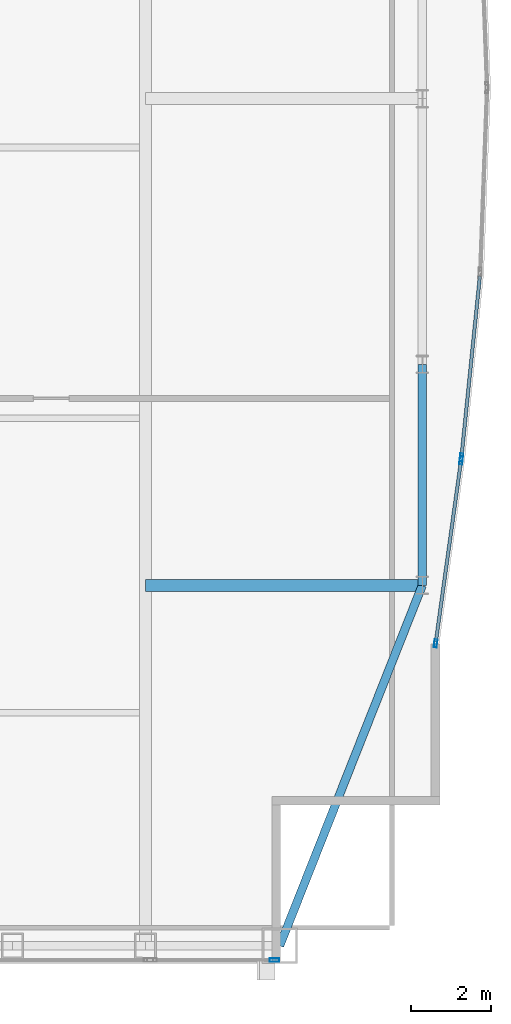
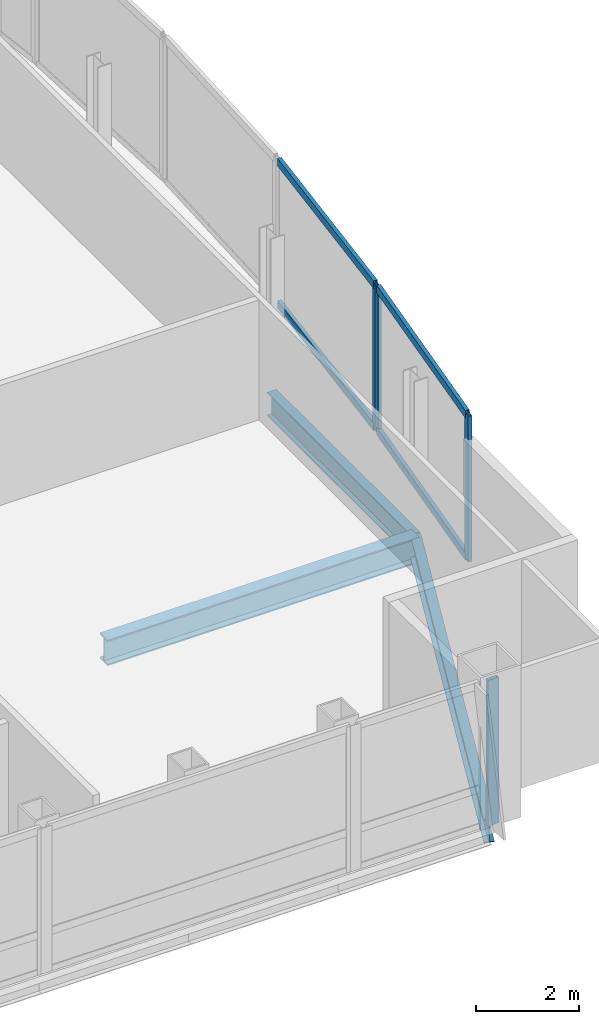
# One storey, part 14 of 26: 8 members, 3 beams, 3 elements without a shape of their own.
"""IFC4 building model written with IfcOpenShell, lengths in metres."""

from ifc_helpers import new_model, si_unit, direction, frame, origin, origin_2d, place, context, subcontext, project, spatial, hollow_rectangle, i_section, extrude, material, material_profile, profile_set, type_object, element, aggregate, save


model = new_model("IFC4")

# Units and contexts
model_context = context("Model", 3, precision=1e-05, world=origin(), true_north=direction((0.0, 1.0)))
body_context = subcontext(model_context, "Body", "Model", "MODEL_VIEW")
ifc_project = project(units=[si_unit("LENGTHUNIT", "METRE"), si_unit("AREAUNIT", "SQUARE_METRE"), si_unit("VOLUMEUNIT", "CUBIC_METRE"), si_unit("PLANEANGLEUNIT", "RADIAN"), si_unit("MASSUNIT", "GRAM", prefix="KILO")], contexts=[model_context])

# Site, building, storey
site_placement = place(None, origin())
site = spatial("IfcSite", under=ifc_project, at=site_placement, CompositionType="ELEMENT")
building_placement = place(site_placement, origin())
building = spatial("IfcBuilding", under=site, at=building_placement, Name="Khoronbel Lancet Exchange", CompositionType="ELEMENT")
storey_placement = place(building_placement, frame((0.0, 0.0, 339.800048828125)))
storey = spatial("IfcBuildingStorey", under=building, at=storey_placement, Name="L88", CompositionType="ELEMENT", Elevation=339.800048828125)

# Beams
ifc_material_1 = material(Name="Steel S355", Category="steel")
ifc_material_profile_1 = material_profile(ifc_material_1, i_section(OverallWidth=0.300048828125, OverallDepth=0.60009765625, WebThickness=0.015380859375, FlangeThickness=0.030029296875, at=origin_2d()), Name="HEB 600")
ifc_profile_set_1 = profile_set([ifc_material_profile_1], Name="Steel S355")
beam_type_1 = type_object("IfcBeamType", Name="BM-BG5", PredefinedType="BEAM", material=ifc_profile_set_1)
beam_1_placement = place(storey_placement, frame((54.675048828125, 19.199951171875, -0.4599609375), z_axis=(1.0, 0.0, 0.0), x_axis=(0.0, 1.0, 0.0)))
element("IfcBeam", 1, at=beam_1_placement, inside=storey, type_object=beam_type_1, Name="Level L88 east lens tie girder LG1E", PredefinedType="BEAM", context=body_context, shape_type="SweptSolid", body=[
    extrude(i_section(OverallWidth=0.300048828125, OverallDepth=0.60009765625, WebThickness=0.015380859375, FlangeThickness=0.030029296875, at=origin_2d()), origin(), (0.0, 0.0, 1.0), 6.954833984375),
])
ifc_material_profile_2 = material_profile(ifc_material_1, i_section(OverallWidth=0.2099609375, OverallDepth=0.550048828125, WebThickness=0.010986328125, FlangeThickness=0.01708984375, at=origin_2d()), Name="IPE 550")
ifc_profile_set_2 = profile_set([ifc_material_profile_2], Name="Steel S355")
beam_type_2 = type_object("IfcBeamType", Name="BM-BSP3", PredefinedType="SPANDREL", material=ifc_profile_set_2)
beam_2_placement = place(storey_placement, frame((58.050048828125, 10.14990234375, -0.43505859375), z_axis=(0.367828403855, 0.929893684954, 0.0), x_axis=(-0.929893684954, 0.367828403855, 0.0)))
element("IfcBeam", 2, at=beam_2_placement, inside=storey, type_object=beam_type_2, Name="Level L88 perimeter spandrel beam SP08", PredefinedType="SPANDREL", context=body_context, shape_type="SweptSolid", body=[
    extrude(i_section(OverallWidth=0.2099609375, OverallDepth=0.550048828125, WebThickness=0.010986328125, FlangeThickness=0.01708984375, at=origin_2d()), origin(), (0.0, 0.0, 1.0), 9.732421875),
])
beam_3_placement = place(storey_placement, frame((61.6298828125, 19.199951171875, -0.43505859375), z_axis=(0.0, 1.0, 0.0), x_axis=(-1.0, 0.0, 0.0)))
element("IfcBeam", 3, at=beam_3_placement, inside=storey, type_object=beam_type_2, Name="Level L88 perimeter spandrel beam SP09", PredefinedType="SPANDREL", context=body_context, shape_type="SweptSolid", body=[
    extrude(i_section(OverallWidth=0.2099609375, OverallDepth=0.550048828125, WebThickness=0.010986328125, FlangeThickness=0.01708984375, at=origin_2d()), origin(), (0.0, 0.0, 1.0), 5.550048828125),
])

# Curtain wall, member
ifc_material_2 = material(Name="Low-E Solar Control Insulating Glass", Category="glass")
curtain_wall_type_1 = type_object("IfcCurtainWallType", Name="CW-3", PredefinedType="NOTDEFINED", material=ifc_material_2)
curtain_wall_1_placement = place(storey_placement, origin())
curtain_wall_1 = element("IfcCurtainWall", 4, at=curtain_wall_1_placement, inside=storey, type_object=curtain_wall_type_1, Name="Unitised curtain wall CW-L88-SEV", PredefinedType="NOTDEFINED")
ifc_material_3 = material(Name="Bronze-Anodised Aluminium 6063-T6", Category="aluminium")
ifc_material_profile_3 = material_profile(ifc_material_3, hollow_rectangle(XDim=0.0849609375, YDim=0.239990234375, WallThickness=0.006103515625, at=origin_2d()), Name="ALU MULLION 85x240")
ifc_profile_set_3 = profile_set([ifc_material_profile_3], Name="Bronze-Anodised Aluminium 6063-T6")
member_type_1 = type_object("IfcMemberType", Name="MEM-CWM1", PredefinedType="MULLION", material=ifc_profile_set_3)
member_1_placement = place(storey_placement, frame((57.91748046875, 9.7900390625, 0.0), z_axis=(0.0, 0.0, 1.0), x_axis=(0.0, 1.0, 0.0)))
member_1 = element("IfcMember", 5, at=member_1_placement, type_object=member_type_1, Name="CW3 mullion 2", PredefinedType="MULLION", context=body_context, shape_type="SweptSolid", body=[
    extrude(hollow_rectangle(XDim=0.0849609375, YDim=0.239990234375, WallThickness=0.006103515625, at=origin_2d()), origin(), (0.0, 0.0, 1.0), 3.43994140625),
])
aggregate(curtain_wall_1, [member_1])

curtain_wall_type_2 = type_object("IfcCurtainWallType", Name="CW-4", PredefinedType="NOTDEFINED", material=ifc_material_2)
curtain_wall_2_placement = place(storey_placement, origin())
curtain_wall_2 = element("IfcCurtainWall", 6, at=curtain_wall_2_placement, inside=storey, type_object=curtain_wall_type_2, Name="Unitised curtain wall CW-L88-E21", PredefinedType="NOTDEFINED")
ifc_material_profile_4 = material_profile(ifc_material_3, hollow_rectangle(XDim=0.074951171875, YDim=0.199951171875, WallThickness=0.0048828125, at=origin_2d()), Name="ALU MULLION 75x200")
ifc_profile_set_4 = profile_set([ifc_material_profile_4], Name="Bronze-Anodised Aluminium 6063-T6")
member_type_2 = type_object("IfcMemberType", Name="MEM-CWM2", PredefinedType="MULLION", material=ifc_profile_set_4)
member_2_placement = place(storey_placement, frame((62.61328125, 22.414794921875, 0.0), z_axis=(0.0, 0.0, 1.0), x_axis=(0.994858128487, -0.101278350024, 0.0)))
member_2 = element("IfcMember", 7, at=member_2_placement, type_object=member_type_2, Name="CW4 mullion 2", PredefinedType="MULLION", context=body_context, shape_type="SweptSolid", body=[
    extrude(hollow_rectangle(XDim=0.074951171875, YDim=0.199951171875, WallThickness=0.0048828125, at=origin_2d()), origin(), (0.0, 0.0, 1.0), 3.43994140625),
])

# Curtain wall, members
curtain_wall_3_placement = place(storey_placement, origin())
curtain_wall_3 = element("IfcCurtainWall", 8, at=curtain_wall_3_placement, inside=storey, type_object=curtain_wall_type_2, Name="Unitised curtain wall CW-L88-E22", PredefinedType="NOTDEFINED")
member_3_placement = place(storey_placement, frame((62.604248046875, 22.34033203125, 0.0), z_axis=(0.0, 0.0, 1.0), x_axis=(0.990474689219, -0.137694916451, 0.0)))
member_3 = element("IfcMember", 9, at=member_3_placement, type_object=member_type_2, Name="CW4 mullion 1", PredefinedType="MULLION", context=body_context, shape_type="SweptSolid", body=[
    extrude(hollow_rectangle(XDim=0.074951171875, YDim=0.199951171875, WallThickness=0.0048828125, at=origin_2d()), origin(), (0.0, 0.0, 1.0), 3.43994140625),
])
member_4_placement = place(storey_placement, frame((61.965087890625, 17.743408203125, 0.0), z_axis=(0.0, 0.0, 1.0), x_axis=(0.990474689219, -0.137694916451, 0.0)))
member_4 = element("IfcMember", 10, at=member_4_placement, type_object=member_type_2, Name="CW4 mullion 2", PredefinedType="MULLION", context=body_context, shape_type="SweptSolid", body=[
    extrude(hollow_rectangle(XDim=0.074951171875, YDim=0.199951171875, WallThickness=0.0048828125, at=origin_2d()), origin(), (0.0, 0.0, 1.0), 3.43994140625),
])

# Member
ifc_material_profile_5 = material_profile(ifc_material_3, hollow_rectangle(XDim=0.0849609375, YDim=0.179931640625, WallThickness=0.0048828125, at=origin_2d()), Name="ALU TRANSOM 85x180")
ifc_profile_set_5 = profile_set([ifc_material_profile_5], Name="Bronze-Anodised Aluminium 6063-T6")
member_type_3 = type_object("IfcMemberType", Name="MEM-CWT1", PredefinedType="USERDEFINED", material=ifc_profile_set_5)
member_5_placement = place(storey_placement, frame((63.076416015625, 26.96484375, 0.04248046875), z_axis=(-0.101294091198, -0.994856525881, 0.0), x_axis=(0.994856525881, -0.101294091198, 0.0)))
member_5 = element("IfcMember", 11, at=member_5_placement, type_object=member_type_3, Name="CW4 transom 1.1", ObjectType="TRANSOM", PredefinedType="USERDEFINED", context=body_context, shape_type="SweptSolid", body=[
    extrude(hollow_rectangle(XDim=0.0849609375, YDim=0.179931640625, WallThickness=0.0048828125, at=origin_2d()), origin(), (0.0, 0.0, 1.0), 4.5361328125),
])

member_6_placement = place(storey_placement, frame((63.076416015625, 26.96484375, 3.3974609375), z_axis=(-0.101294091198, -0.994856525881, 0.0), x_axis=(0.994856525881, -0.101294091198, 0.0)))
member_6 = element("IfcMember", 12, at=member_6_placement, type_object=member_type_3, Name="CW4 transom 1.2", ObjectType="TRANSOM", PredefinedType="USERDEFINED", context=body_context, shape_type="SweptSolid", body=[
    extrude(hollow_rectangle(XDim=0.0849609375, YDim=0.179931640625, WallThickness=0.0048828125, at=origin_2d()), origin(), (0.0, 0.0, 1.0), 4.5361328125),
])

aggregate(curtain_wall_2, [member_2, member_5, member_6])

member_7_placement = place(storey_placement, frame((62.59912109375, 22.30322265625, 0.04248046875), z_axis=(-0.137730105062, -0.990469796692, 0.0), x_axis=(0.990469796692, -0.137730105062, 0.0)))
member_7 = element("IfcMember", 13, at=member_7_placement, type_object=member_type_3, Name="CW4 transom 1.1", ObjectType="TRANSOM", PredefinedType="USERDEFINED", context=body_context, shape_type="SweptSolid", body=[
    extrude(hollow_rectangle(XDim=0.0849609375, YDim=0.179931640625, WallThickness=0.0048828125, at=origin_2d()), origin(), (0.0, 0.0, 1.0), 4.566162109375),
])

member_8_placement = place(storey_placement, frame((62.59912109375, 22.30322265625, 3.3974609375), z_axis=(-0.137730105062, -0.990469796692, 0.0), x_axis=(0.990469796692, -0.137730105062, 0.0)))
member_8 = element("IfcMember", 14, at=member_8_placement, type_object=member_type_3, Name="CW4 transom 1.2", ObjectType="TRANSOM", PredefinedType="USERDEFINED", context=body_context, shape_type="SweptSolid", body=[
    extrude(hollow_rectangle(XDim=0.0849609375, YDim=0.179931640625, WallThickness=0.0048828125, at=origin_2d()), origin(), (0.0, 0.0, 1.0), 4.566162109375),
])

aggregate(curtain_wall_3, [member_3, member_4, member_7, member_8])

save(model, "model.ifc")
